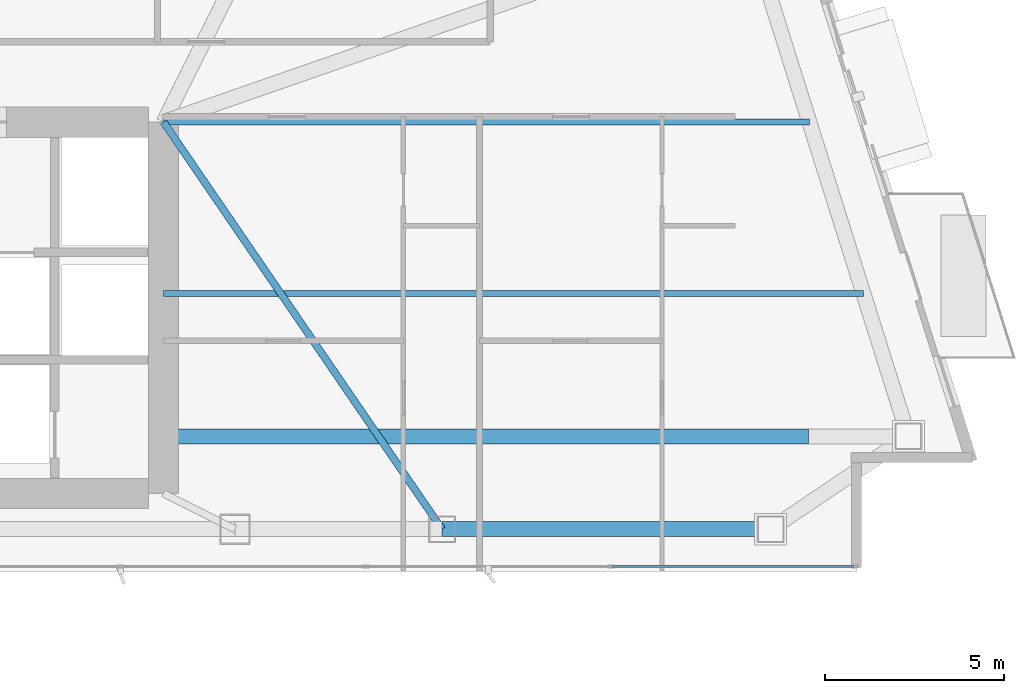
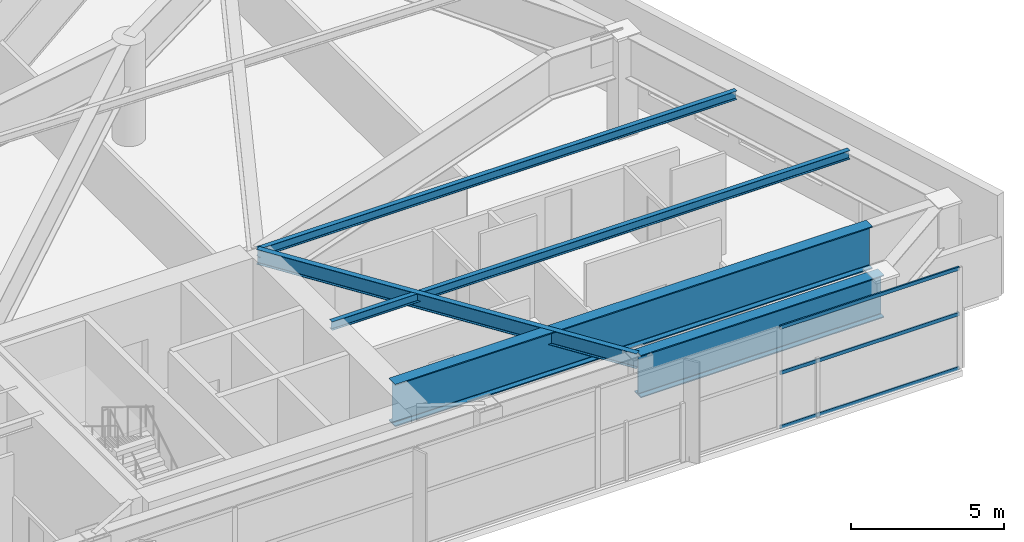
# One storey, part 14 of 30: 5 beams, 3 members, 1 element without a shape of its own.
"""IFC4 building model written with IfcOpenShell, lengths in metres."""

from ifc_helpers import new_model, si_unit, direction, frame, origin, origin_2d, place, context, subcontext, project, spatial, hollow_rectangle, i_section, extrude, material, layer, layer_set, material_profile, profile_set, type_object, element, aggregate, save


model = new_model("IFC4")

# Units and contexts
model_context = context("Model", 3, precision=1e-05, world=origin(), true_north=direction((0.0, 1.0)))
body_context = subcontext(model_context, "Body", "Model", "MODEL_VIEW")
ifc_project = project(units=[si_unit("LENGTHUNIT", "METRE"), si_unit("AREAUNIT", "SQUARE_METRE"), si_unit("VOLUMEUNIT", "CUBIC_METRE"), si_unit("PLANEANGLEUNIT", "RADIAN"), si_unit("MASSUNIT", "GRAM", prefix="KILO")], contexts=[model_context])

# Site, building, storey
site_placement = place(None, origin())
site = spatial("IfcSite", under=ifc_project, at=site_placement, CompositionType="ELEMENT")
building_placement = place(site_placement, origin())
building = spatial("IfcBuilding", under=site, at=building_placement, Name="Calvorn Quay Hotel", CompositionType="ELEMENT")
storey_placement = place(building_placement, frame((0.0, 0.0, 195.10009765625)))
storey = spatial("IfcBuildingStorey", under=building, at=storey_placement, Name="L48", CompositionType="ELEMENT", Elevation=195.10009765625)

# Beams
ifc_material_1 = material(Name="Steel Q355B", Category="steel")
ifc_material_profile_1 = material_profile(ifc_material_1, i_section(OverallWidth=0.199951171875, OverallDepth=0.60009765625, WebThickness=0.010986328125, FlangeThickness=0.01708984375, FilletRadius=0.01806640625, at=origin_2d()), Name="HN600x200x11x17")
ifc_profile_set_1 = profile_set([ifc_material_profile_1], Name="Steel Q355B")
beam_type_1 = type_object("IfcBeamType", Name="BM-GIRD-TYP", PredefinedType="BEAM", material=ifc_profile_set_1)
beam_1_placement = place(storey_placement, frame((40.199951171875, 3.60009765625, 3.75), z_axis=(-0.564689618177, 0.825303359452, 0.0), x_axis=(-0.825303359452, -0.564689618177, 0.0)))
element("IfcBeam", 1, at=beam_1_placement, inside=storey, type_object=beam_type_1, Name="Beam BG-L48-E6", PredefinedType="BEAM", context=body_context, shape_type="SweptSolid", body=[
    extrude(i_section(OverallWidth=0.199951171875, OverallDepth=0.60009765625, WebThickness=0.010986328125, FlangeThickness=0.01708984375, FilletRadius=0.01806640625, at=origin_2d()), origin(), (0.0, 0.0, 1.0), 13.81298828125),
])
ifc_material_2 = material(Name="Steel Q355B", Category="steel")
ifc_material_profile_2 = material_profile(ifc_material_2, i_section(OverallWidth=0.175048828125, OverallDepth=0.35009765625, WebThickness=0.007080078125, FlangeThickness=0.010986328125, FilletRadius=0.013916015625, at=origin_2d()), Name="HN350x175x7x11")
ifc_profile_set_2 = profile_set([ifc_material_profile_2], Name="Steel Q355B")
beam_type_2 = type_object("IfcBeamType", Name="BM-JOIST-SEC", PredefinedType="JOIST", material=ifc_profile_set_2)
beam_2_placement = place(storey_placement, frame((32.39990234375, 10.199951171875, 3.875), z_axis=(1.0, 0.0, 0.0), x_axis=(0.0, 1.0, 0.0)))
element("IfcBeam", 2, at=beam_2_placement, inside=storey, type_object=beam_type_2, Name="Beam BJ-L48-E1", PredefinedType="JOIST", context=body_context, shape_type="SweptSolid", body=[
    extrude(i_section(OverallWidth=0.175048828125, OverallDepth=0.35009765625, WebThickness=0.007080078125, FlangeThickness=0.010986328125, FilletRadius=0.013916015625, at=origin_2d()), origin(), (0.0, 0.0, 1.0), 19.60107421875),
])
beam_3_placement = place(storey_placement, frame((32.39990234375, 15.0, 3.875), z_axis=(1.0, 0.0, 0.0), x_axis=(0.0, 1.0, 0.0)))
element("IfcBeam", 3, at=beam_3_placement, inside=storey, type_object=beam_type_2, Name="Beam BJ-L48-E2", PredefinedType="JOIST", context=body_context, shape_type="SweptSolid", body=[
    extrude(i_section(OverallWidth=0.175048828125, OverallDepth=0.35009765625, WebThickness=0.007080078125, FlangeThickness=0.010986328125, FilletRadius=0.013916015625, at=origin_2d()), origin(), (0.0, 0.0, 1.0), 18.088134765625),
])
ifc_material_3 = material(Name="Steel Q420GJC", Category="steel")
ifc_material_profile_3 = material_profile(ifc_material_3, i_section(OverallWidth=0.419921875, OverallDepth=1.699951171875, WebThickness=0.02392578125, FlangeThickness=0.0419921875, FilletRadius=0.02392578125, at=origin_2d()), Name="HN1700x420x24x42")
ifc_profile_set_3 = profile_set([ifc_material_profile_3], Name="Steel Q420GJC")
beam_type_3 = type_object("IfcBeamType", Name="BM-XFER-SAWTOOTH", PredefinedType="BEAM", material=ifc_profile_set_3)
beam_4_placement = place(storey_placement, frame((32.39990234375, 6.199951171875, 3.199951171875), z_axis=(1.0, 0.0, 0.0), x_axis=(0.0, 1.0, 0.0)))
element("IfcBeam", 4, at=beam_4_placement, inside=storey, type_object=beam_type_3, Name="Beam BTG-L48-C-ET1A", PredefinedType="BEAM", context=body_context, shape_type="SweptSolid", body=[
    extrude(i_section(OverallWidth=0.419921875, OverallDepth=1.699951171875, WebThickness=0.02392578125, FlangeThickness=0.0419921875, FilletRadius=0.02392578125, at=origin_2d()), origin(), (0.0, 0.0, 1.0), 18.06103515625),
])
beam_5_placement = place(storey_placement, frame((40.199951171875, 3.60009765625, 3.199951171875), z_axis=(1.0, 0.0, 0.0), x_axis=(0.0, 1.0, 0.0)))
element("IfcBeam", 5, at=beam_5_placement, inside=storey, type_object=beam_type_3, Name="Beam BSP-L48-S5", PredefinedType="BEAM", context=body_context, shape_type="SweptSolid", body=[
    extrude(i_section(OverallWidth=0.419921875, OverallDepth=1.699951171875, WebThickness=0.02392578125, FlangeThickness=0.0419921875, FilletRadius=0.02392578125, at=origin_2d()), origin(), (0.0, 0.0, 1.0), 9.199951171875),
])

# Curtain wall, members
ifc_material_4 = material(Name="Champagne Bronze Anodised Aluminium and Low-E Glass", Category="aluminium")
ifc_layer = layer(ifc_material_4, 0.219970703125)
ifc_layer_set = layer_set([ifc_layer], Name="CW-SYS-Z3")
curtain_wall_type = type_object("IfcCurtainWallType", Name="CW-SYS-Z3", PredefinedType="NOTDEFINED", material=ifc_layer_set)
curtain_wall_placement = place(storey_placement, origin())
curtain_wall = element("IfcCurtainWall", 6, at=curtain_wall_placement, inside=storey, type_object=curtain_wall_type, Name="Tower South Waterfront Curtain Wall (L48)", PredefinedType="NOTDEFINED")
ifc_material_5 = material(Name="Champagne Bronze Anodised Aluminium 6063-T6", Category="aluminium")
ifc_material_profile_4 = material_profile(ifc_material_5, hollow_rectangle(XDim=0.05810546875, YDim=0.139892578125, WallThickness=0.003173828125, at=origin_2d()), Name="ALU-T140x58x3.2")
ifc_profile_set_4 = profile_set([ifc_material_profile_4], Name="Champagne Bronze Anodised Aluminium 6063-T6")
member_type = type_object("IfcMemberType", Name="CW-SYS-Z3-TRN", PredefinedType="USERDEFINED", material=ifc_profile_set_4)
member_1_placement = place(storey_placement, frame((44.96337890625, 2.550048828125, 0.02978515625), z_axis=(1.0, 0.0, 0.0), x_axis=(0.0, 1.0, 0.0)))
member_1 = element("IfcMember", 7, at=member_1_placement, type_object=member_type, Name="CW-L48-S transom 6.1", ObjectType="TRANSOM", PredefinedType="USERDEFINED", context=body_context, shape_type="SweptSolid", body=[
    extrude(hollow_rectangle(XDim=0.05810546875, YDim=0.139892578125, WallThickness=0.003173828125, at=origin_2d()), origin(), (0.0, 0.0, 1.0), 6.776611328125),
])
member_2_placement = place(storey_placement, frame((44.96337890625, 2.550048828125, 2.199951171875), z_axis=(1.0, 0.0, 0.0), x_axis=(0.0, 1.0, 0.0)))
member_2 = element("IfcMember", 8, at=member_2_placement, type_object=member_type, Name="CW-L48-S transom 6.2", ObjectType="TRANSOM", PredefinedType="USERDEFINED", context=body_context, shape_type="SweptSolid", body=[
    extrude(hollow_rectangle(XDim=0.05810546875, YDim=0.139892578125, WallThickness=0.003173828125, at=origin_2d()), origin(), (0.0, 0.0, 1.0), 6.776611328125),
])
member_3_placement = place(storey_placement, frame((44.96337890625, 2.550048828125, 4.02001953125), z_axis=(1.0, 0.0, 0.0), x_axis=(0.0, 1.0, 0.0)))
member_3 = element("IfcMember", 9, at=member_3_placement, type_object=member_type, Name="CW-L48-S transom 6.3", ObjectType="TRANSOM", PredefinedType="USERDEFINED", context=body_context, shape_type="SweptSolid", body=[
    extrude(hollow_rectangle(XDim=0.05810546875, YDim=0.139892578125, WallThickness=0.003173828125, at=origin_2d()), origin(), (0.0, 0.0, 1.0), 6.776611328125),
])
aggregate(curtain_wall, [member_1, member_2, member_3])

save(model, "model.ifc")
